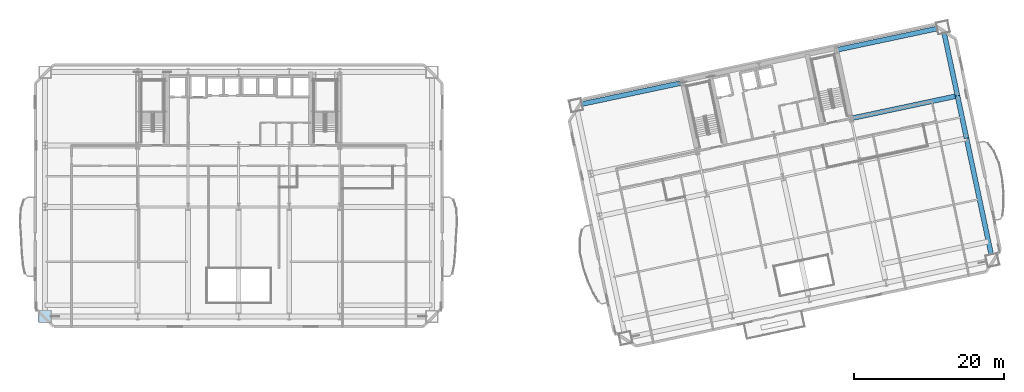
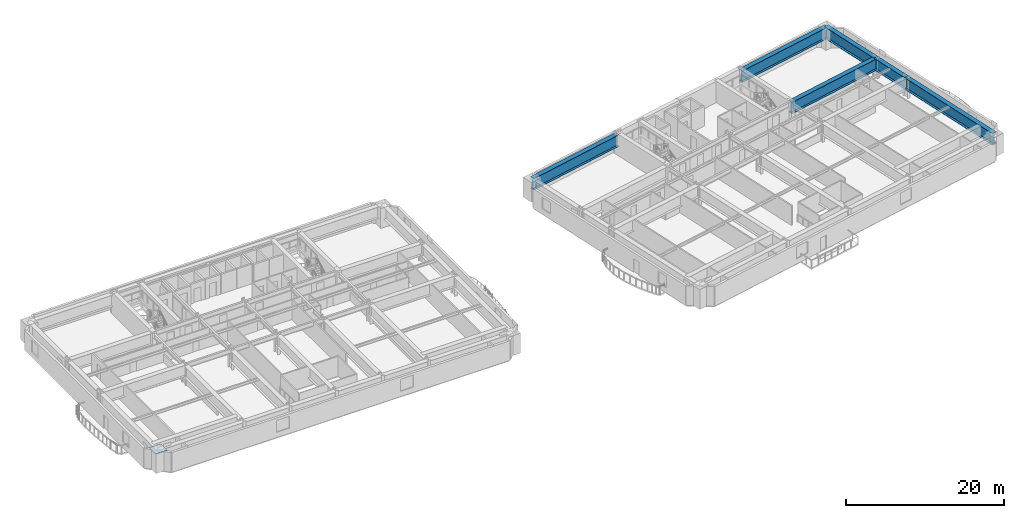
# One storey, part 4 of 18: 6 beams, 1 plate.
"""IFC4 building model written with IfcOpenShell, lengths in metres."""

from ifc_helpers import new_model, si_unit, direction, frame, origin, origin_2d, place, context, subcontext, project, spatial, rectangle, i_section, extrude, material, layer, layer_set, material_profile, profile_set, type_object, element, save


model = new_model("IFC4")

# Units and contexts
model_context = context("Model", 3, precision=1e-05, world=origin(), true_north=direction((0.0, 1.0)))
body_context = subcontext(model_context, "Body", "Model", "MODEL_VIEW")
ifc_project = project(units=[si_unit("LENGTHUNIT", "METRE"), si_unit("AREAUNIT", "SQUARE_METRE"), si_unit("VOLUMEUNIT", "CUBIC_METRE"), si_unit("PLANEANGLEUNIT", "RADIAN"), si_unit("MASSUNIT", "GRAM", prefix="KILO")], contexts=[model_context])

# Site, building, storey
site_placement = place(None, origin())
site = spatial("IfcSite", under=ifc_project, at=site_placement, CompositionType="ELEMENT")
building_placement = place(site_placement, origin())
building = spatial("IfcBuilding", under=site, at=building_placement, Name="Haevon Station Towers", CompositionType="ELEMENT")
storey_placement = place(building_placement, frame((0.0, 0.0, 47.10009765625)))
storey = spatial("IfcBuildingStorey", under=building, at=storey_placement, Name="L11", CompositionType="ELEMENT", Elevation=47.10009765625)

# Beams
ifc_material_1 = material(Name="Steel S460", Category="steel")
ifc_material_profile = material_profile(ifc_material_1, i_section(OverallWidth=0.64990234375, OverallDepth=1.800048828125, WebThickness=0.02490234375, FlangeThickness=0.0400390625, at=origin_2d()), Name="H-1800x650x25x40")
ifc_profile_set = profile_set([ifc_material_profile], Name="Steel S460")
beam_type = type_object("IfcBeamType", Name="BM-TG1800", PredefinedType="BEAM", material=ifc_profile_set)
for number, where, z_axis, x_axis, name in (
    (1, (119.29345703125, 41.80859375, 2.14990234375), (0.978146823396, 0.207915347869, 0.0), (-0.207915347869, 0.978146823396, 0.0), "BM-T2U-L11-03-04"),
    (2, (82.576416015625, 43.56298828125, 2.14990234375), (0.978146823396, 0.207915347869, 0.0), (-0.207915347869, 0.978146823396, 0.0), "BM-T2U-L11-04-01"),
):
    element("IfcBeam", number, at=place(storey_placement, frame(where, z_axis=z_axis, x_axis=x_axis)), inside=storey, type_object=beam_type, Name=name, PredefinedType="BEAM", context=body_context, shape_type="SweptSolid", body=[
        extrude(i_section(OverallWidth=0.64990234375, OverallDepth=1.800048828125, WebThickness=0.02490234375, FlangeThickness=0.0400390625, at=origin_2d()), origin(), (0.0, 0.0, 1.0), 14.5498046875),
    ])
beam_1_placement = place(storey_placement, frame((117.349365234375, 50.954345703125, 2.14990234375), z_axis=(0.978150960994, 0.207895881409, 0.0), x_axis=(-0.207895881409, 0.978150960994, 0.0)))
element("IfcBeam", 3, at=beam_1_placement, inside=storey, type_object=beam_type, Name="BM-T2U-L11-04-04", PredefinedType="BEAM", context=body_context, shape_type="SweptSolid", body=[
    extrude(i_section(OverallWidth=0.64990234375, OverallDepth=1.800048828125, WebThickness=0.02490234375, FlangeThickness=0.0400390625, at=origin_2d()), origin(), (0.0, 0.0, 1.0), 14.550048828125),
])
beam_2_placement = place(storey_placement, frame((138.193115234375, 22.874267578125, 2.14990234375), z_axis=(-0.20790856066, 0.978148266064, 0.0), x_axis=(-0.978148266064, -0.20790856066, 0.0)))
element("IfcBeam", 4, at=beam_2_placement, inside=storey, type_object=beam_type, Name="BM-T2V-L11-05-01", PredefinedType="BEAM", context=body_context, shape_type="SweptSolid", body=[
    extrude(i_section(OverallWidth=0.64990234375, OverallDepth=1.800048828125, WebThickness=0.02490234375, FlangeThickness=0.0400390625, at=origin_2d()), origin(), (0.0, 0.0, 1.0), 16.64990234375),
])
beam_3_placement = place(storey_placement, frame((134.7314453125, 39.160400390625, 2.14990234375), z_axis=(-0.207936282142, 0.978142373363, 0.0), x_axis=(-0.978142373363, -0.207936282142, 0.0)))
element("IfcBeam", 5, at=beam_3_placement, inside=storey, type_object=beam_type, Name="BM-T2V-L11-05-02", PredefinedType="BEAM", context=body_context, shape_type="SweptSolid", body=[
    extrude(i_section(OverallWidth=0.64990234375, OverallDepth=1.800048828125, WebThickness=0.02490234375, FlangeThickness=0.0400390625, at=origin_2d()), origin(), (0.0, 0.0, 1.0), 5.800048828125),
])
beam_4_placement = place(storey_placement, frame((133.525390625, 44.833740234375, 2.14990234375), z_axis=(-0.207902477038, 0.978149559138, 0.0), x_axis=(-0.978149559138, -0.207902477038, 0.0)))
element("IfcBeam", 6, at=beam_4_placement, inside=storey, type_object=beam_type, Name="BM-T2V-L11-05-03", PredefinedType="BEAM", context=body_context, shape_type="SweptSolid", body=[
    extrude(i_section(OverallWidth=0.64990234375, OverallDepth=1.800048828125, WebThickness=0.02490234375, FlangeThickness=0.0400390625, at=origin_2d()), origin(), (0.0, 0.0, 1.0), 9.349853515625),
])

# Plate
ifc_material_2 = material(Name="PL-FLG1", Category="steel")
ifc_layer = layer(ifc_material_2, 0.044921875)
ifc_layer_set = layer_set([ifc_layer], Name="PL-FLG1")
plate_type = type_object("IfcPlateType", Name="PL-FLG1", PredefinedType="USERDEFINED", material=ifc_layer_set)
plate_placement = place(storey_placement, frame((11.64990234375, 15.35009765625, 3.0498046875), z_axis=(0.0, 0.0, 1.0), x_axis=(1.0, 0.0, 0.0)))
element("IfcPlate", 7, at=plate_placement, inside=storey, type_object=plate_type, Name="PL-CAP-T1-L11-01-01", ObjectType="FLANGE_PLATE", PredefinedType="USERDEFINED", context=body_context, shape_type="SweptSolid", body=[
    extrude(rectangle(XDim=1.739990234375, YDim=1.639892578125, at=origin_2d()), origin(), (0.0, 0.0, 1.0), 0.0400390625),
])

save(model, "model.ifc")
